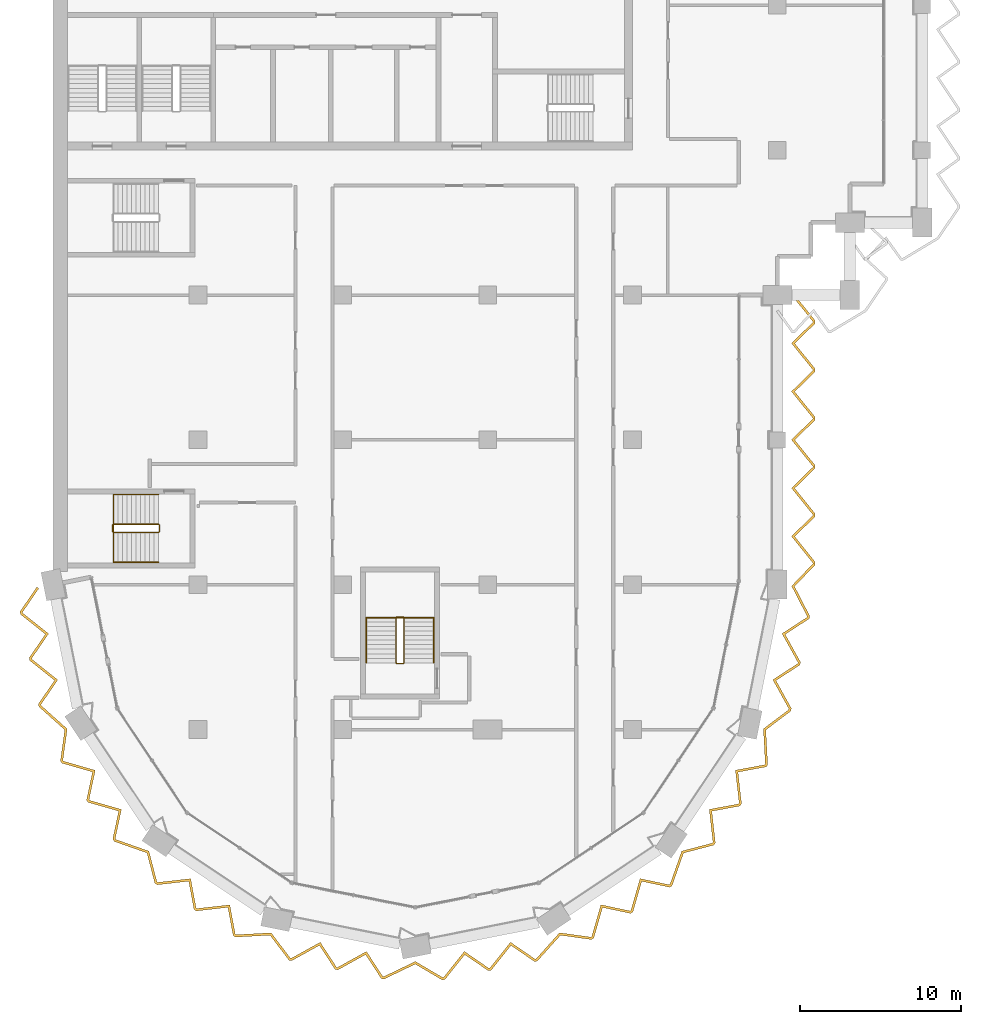
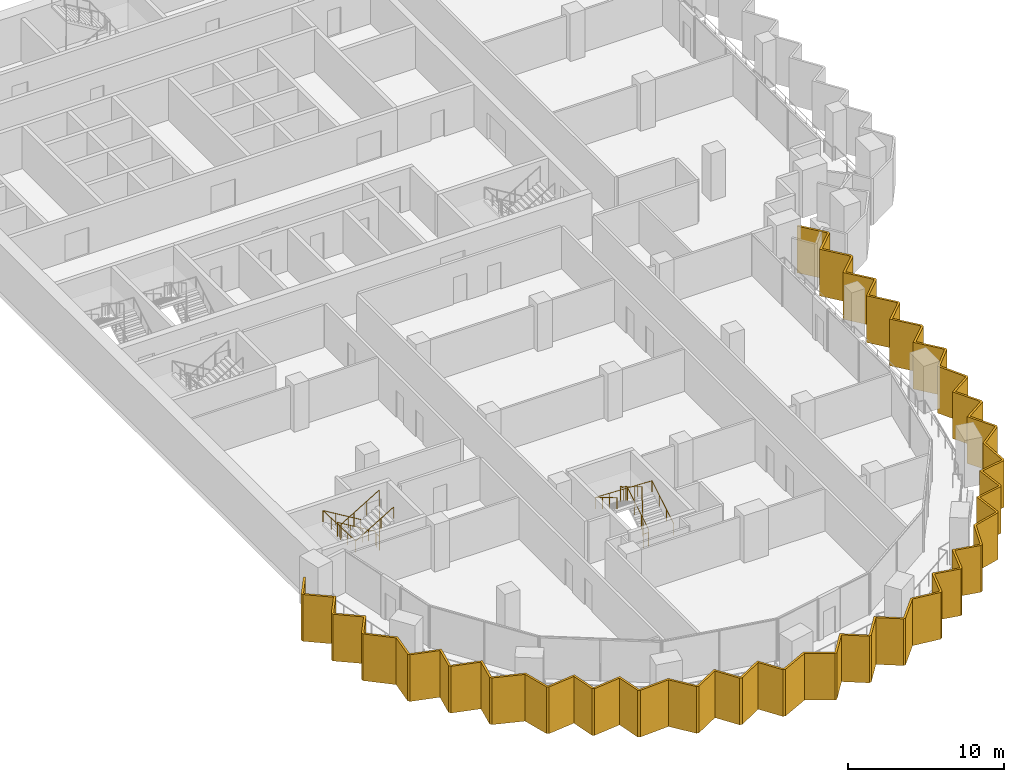
# One storey, part 14 of 17: 4 railings, 1 shading device.
"""IFC4 building model written with IfcOpenShell, lengths in metres."""

import ifcopenshell
import ifcopenshell.guid

model = None  # the IFC model being written
_history = None  # IfcOwnerHistory: only IFC2X3 demands one
_inside = {}  # id of a spatial element -> (the spatial element, [elements in it])
_under = {}  # id of a project, library or spatial element -> (it, [spatial elements below it])
_declared = {}  # id of a project -> (the project, [libraries it declares])
_typed = {}  # id of a type object -> (the type object, [elements of that type])
_made_of = {}  # id of a material, layer set ... -> (it, [elements and type objects made of it])


def new_model(schema):
    """Start an empty IFC model of exactly this schema.

    Asked for "IFC4X3", IfcOpenShell would pick the latest addendum, in which some entities
    have other attributes; the version numbers below select the first issue.
    IFC2X3 requires an IfcOwnerHistory on every rooted entity: one is made here for all.
    """
    global model, _history
    if schema == "IFC4X3":
        model = ifcopenshell.file(schema_version=(4, 3, 0, 0))
    else:
        model = ifcopenshell.file(schema=schema)
    _inside.clear()
    _under.clear()
    _declared.clear()
    _typed.clear()
    _made_of.clear()
    _history = None
    if model.schema == "IFC2X3":
        org = make("IfcOrganization", Name="unknown")
        user = make(
            "IfcPersonAndOrganization",
            ThePerson=make("IfcPerson", FamilyName="unknown"),
            TheOrganization=org,
        )
        app = make(
            "IfcApplication",
            ApplicationDeveloper=org,
            Version="unknown",
            ApplicationFullName="unknown",
            ApplicationIdentifier="unknown",
        )
        _history = make(
            "IfcOwnerHistory",
            OwningUser=user,
            OwningApplication=app,
            ChangeAction="ADDED",
            CreationDate=0,
        )
    return model


def make(cls, **values):
    """One entity of the class cls with the attributes given. An attribute that is None is left unset."""
    return model.create_entity(
        cls, **{name: value for name, value in values.items() if value is not None}
    )


def rooted(cls, **values):
    """An entity with a GlobalId (a new one), such as an element, a storey or a relation."""
    return make(cls, GlobalId=ifcopenshell.guid.new(), OwnerHistory=_history, **values)


def si_unit(unit_type, name, prefix=None):
    """IfcSIUnit, for example si_unit("LENGTHUNIT", "METRE", prefix="MILLI")."""
    return make("IfcSIUnit", UnitType=unit_type, Prefix=prefix, Name=name)


def assignment(units):
    """IfcUnitAssignment: the units of a project."""
    return None if units is None else make("IfcUnitAssignment", Units=units)


def point(xyz):
    """IfcCartesianPoint."""
    return None if xyz is None else make("IfcCartesianPoint", Coordinates=xyz)


def direction(xyz):
    """IfcDirection."""
    return None if xyz is None else make("IfcDirection", DirectionRatios=xyz)


def frame(location, z_axis=None, x_axis=None):
    """IfcAxis2Placement3D, a coordinate frame: its origin and axes. An axis left out is left unset."""
    return make(
        "IfcAxis2Placement3D",
        Location=point(location),
        Axis=direction(z_axis),
        RefDirection=direction(x_axis),
    )


def frame_2d(location, x_axis=None):
    """IfcAxis2Placement2D, a coordinate frame in the plane: its origin and x axis."""
    return make(
        "IfcAxis2Placement2D", Location=point(location), RefDirection=direction(x_axis)
    )


def origin():
    """The frame at (0, 0, 0) with its axes left unset."""
    return frame((0.0, 0.0, 0.0))


def origin_2d():
    """The frame at (0, 0) in the plane with its x axis left unset."""
    return frame_2d((0.0, 0.0))


def place(relative_to, where):
    """IfcLocalPlacement: puts the frame where relative to a parent placement (None: the world)."""
    return make(
        "IfcLocalPlacement", PlacementRelTo=relative_to, RelativePlacement=where
    )


def context(
    kind, dimensions, precision=None, world=None, true_north=None, identifier=None
):
    """IfcGeometricRepresentationContext, for example the 3D "Model" context."""
    return make(
        "IfcGeometricRepresentationContext",
        ContextIdentifier=identifier,
        ContextType=kind,
        CoordinateSpaceDimension=dimensions,
        Precision=precision,
        WorldCoordinateSystem=world,
        TrueNorth=true_north,
    )


def subcontext(parent, identifier, kind, view, scale=None):
    """IfcGeometricRepresentationSubContext, for example "Body" below "Model"."""
    return make(
        "IfcGeometricRepresentationSubContext",
        ContextIdentifier=identifier,
        ContextType=kind,
        ParentContext=parent,
        TargetScale=scale,
        TargetView=view,
    )


def project(units=None, contexts=None):
    """IfcProject with its units and contexts."""
    return rooted(
        "IfcProject",
        Name="project",
        RepresentationContexts=contexts,
        UnitsInContext=assignment(units),
    )


def spatial(cls, under=None, at=None, **own):
    """A site, building, storey or space (cls), placed at a placement, below another one or the project."""
    s = rooted(cls, ObjectPlacement=at, **own)
    if under is not None:
        _under.setdefault(under.id(), (under, []))[1].append(s)
    return s


def polyline(points):
    """IfcPolyline through the points."""
    return make("IfcPolyline", Points=[point(p) for p in points])


def profile(cls, at=None, kind="AREA", **sizes):
    """A parametric profile (cls). Its sizes go by their IFC names, for example OverallWidth=200.0."""
    return make(cls, ProfileType=kind, Position=at, **sizes)


def circle(**sizes):
    """IfcCircleProfileDef."""
    return profile("IfcCircleProfileDef", **sizes)


def outline(outer, holes=None, kind="AREA"):
    """IfcArbitraryClosedProfileDef: a profile drawn as a closed curve; with holes, ...WithVoids."""
    if holes is None:
        return make("IfcArbitraryClosedProfileDef", ProfileType=kind, OuterCurve=outer)
    return make(
        "IfcArbitraryProfileDefWithVoids",
        ProfileType=kind,
        OuterCurve=outer,
        InnerCurves=holes,
    )


def extrude(swept, where, along, depth):
    """IfcExtrudedAreaSolid: the profile swept, set in the frame where, extruded along a direction by depth."""
    return make(
        "IfcExtrudedAreaSolid",
        SweptArea=swept,
        Position=where,
        ExtrudedDirection=direction(along),
        Depth=depth,
    )


def shape(context_of_items, identifier, shape_type, items):
    """IfcShapeRepresentation: the items that make up one representation, for example the "Body"."""
    return make(
        "IfcShapeRepresentation",
        ContextOfItems=context_of_items,
        RepresentationIdentifier=identifier,
        RepresentationType=shape_type,
        Items=items,
    )


def material(Name=None, Category=None):
    """IfcMaterial."""
    return make("IfcMaterial", Name=Name, Category=Category)


def layer(
    of_material, thickness, ventilated=None, Name=None, Category=None, Priority=None
):
    """IfcMaterialLayer: one layer of a wall or slab, of a material (None: an air gap)."""
    return make(
        "IfcMaterialLayer",
        Material=of_material,
        LayerThickness=thickness,
        IsVentilated=ventilated,
        Name=Name,
        Category=Category,
        Priority=Priority,
    )


def layer_set(layers, Name=None):
    """IfcMaterialLayerSet."""
    return make("IfcMaterialLayerSet", MaterialLayers=layers, LayerSetName=Name)


def made_of(thing, what):
    """Note that an element or type object is made of a material, layer set ...; save() writes the relation."""
    if what is not None:
        _made_of.setdefault(what.id(), (what, []))[1].append(thing)
    return thing


def type_object(cls, material=None, **own):
    """A type object (cls), such as IfcWallType, which elements share."""
    return made_of(rooted(cls, **own), material)


def element(
    cls,
    number,
    at=None,
    inside=None,
    cuts=None,
    type_object=None,
    material=None,
    context=None,
    identifier="Body",
    shape_type=None,
    held_by="IfcProductDefinitionShape",
    body=None,
    shapes=None,
    **own,
):
    """One element of the class cls, such as IfcWall. Its Tag is "e" and its number.

    at: its placement. inside: the storey or other place that contains it. cuts: it is an
    opening in that element (IfcRelVoidsElement). A single representation is given by context,
    identifier, shape_type and body (its items); several are given by shapes. held_by: the class
    of the entity that holds the representations. save() writes the other relations.
    """
    e = rooted(cls, Tag="e%d" % number, ObjectPlacement=at, **own)
    if body is not None:
        shapes = [shape(context, identifier, shape_type, body)]
    if shapes is not None:
        e.Representation = make(held_by, Representations=shapes)
    if inside is not None:
        _inside.setdefault(inside.id(), (inside, []))[1].append(e)
    if cuts is not None:
        rooted(
            "IfcRelVoidsElement", RelatingBuildingElement=cuts, RelatedOpeningElement=e
        )
    if type_object is not None:
        _typed.setdefault(type_object.id(), (type_object, []))[1].append(e)
    return made_of(e, material)


def aggregate(whole, parts):
    """IfcRelAggregates: a whole, such as a stair, and the parts it consists of."""
    return rooted("IfcRelAggregates", RelatingObject=whole, RelatedObjects=parts)


def save(model, path):
    """Write the relations noted so far, then the file.

    IfcRelAggregates (storeys below a building ...), IfcRelContainedInSpatialStructure (elements
    in a storey), IfcRelDefinesByType, IfcRelAssociatesMaterial and IfcRelDeclares: one each for
    every whole, place, type object, material and project.
    """
    for whole, parts in _under.values():
        aggregate(whole, parts)
    for where, things in _inside.values():
        rooted(
            "IfcRelContainedInSpatialStructure",
            RelatedElements=things,
            RelatingStructure=where,
        )
    for kind, things in _typed.values():
        rooted("IfcRelDefinesByType", RelatedObjects=things, RelatingType=kind)
    for what, things in _made_of.values():
        rooted("IfcRelAssociatesMaterial", RelatedObjects=things, RelatingMaterial=what)
    for by, libraries in _declared.values():
        rooted("IfcRelDeclares", RelatingContext=by, RelatedDefinitions=libraries)
    model.write(path)


model = new_model("IFC4")

# Units and contexts
model_context = context("Model", 3, precision=1e-05, world=origin(), true_north=direction((0.0, 1.0)))
body_context = subcontext(model_context, "Body", "Model", "MODEL_VIEW")
ifc_project = project(units=[si_unit("LENGTHUNIT", "METRE"), si_unit("AREAUNIT", "SQUARE_METRE"), si_unit("VOLUMEUNIT", "CUBIC_METRE"), si_unit("PLANEANGLEUNIT", "RADIAN"), si_unit("MASSUNIT", "GRAM", prefix="KILO")], contexts=[model_context])

# Site, building, storey
site_placement = place(None, origin())
site = spatial("IfcSite", under=ifc_project, at=site_placement, CompositionType="ELEMENT")
building_placement = place(site_placement, origin())
building = spatial("IfcBuilding", under=site, at=building_placement, Name="Hunhe Ridgeline Campus", CompositionType="ELEMENT")
storey_placement = place(building_placement, frame((0.0, 0.0, 186.5)))
storey = spatial("IfcBuildingStorey", under=building, at=storey_placement, Name="L47", CompositionType="ELEMENT", Elevation=186.5)

# Shading device
ifc_material_1 = material(Name="Concrete C50", Category="concrete")
ifc_layer = layer(ifc_material_1, 0.14990234375)
ifc_layer_set = layer_set([ifc_layer], Name="Sawtooth concrete fin 150 Concrete C50")
shading_device_type = type_object("IfcShadingDeviceType", Name="Sawtooth concrete fin 150 Concrete C50", PredefinedType="USERDEFINED", material=ifc_layer_set)
shading_device_placement = place(storey_placement, frame((0.0, 0.0, -0.949951171875)))
element("IfcShadingDevice", 1, at=shading_device_placement, inside=storey, type_object=shading_device_type, Name="Concrete fin screen 1", ObjectType="FIN", PredefinedType="USERDEFINED", context=body_context, shape_type="SweptSolid", body=[
    extrude(outline(polyline([(-0.89453125, 35.767333984375), (-1.01806640625, 35.852294921875), (-2.063720703125, 34.329345703125), (-2.02880859375, 34.15380859375), (-0.48681640625, 32.924560546875), (-1.492919921875, 31.459228515625), (-1.4580078125, 31.28369140625), (0.084228515625, 30.054443359375), (-0.921875, 28.589111328125), (-0.887451171875, 28.416015625), (0.714599609375, 26.97998046875), (0.447021484375, 25.053955078125), (0.544921875, 24.907470703125), (2.43994140625, 24.362060546875), (2.0712890625, 22.623291015625), (2.170654296875, 22.474365234375), (4.065673828125, 21.928955078125), (3.697021484375, 20.190185546875), (3.795166015625, 20.043212890625), (5.82470703125, 19.32958984375), (6.314697265625, 17.44775390625), (6.4609375, 17.35009765625), (8.420654296875, 17.5712890625), (8.745361328125, 15.82373046875), (8.894287109375, 15.724365234375), (10.853759765625, 15.945556640625), (11.178466796875, 14.197998046875), (11.325439453125, 14.099853515625), (13.473388671875, 14.21728515625), (14.646240234375, 12.666259765625), (14.81884765625, 12.6318359375), (16.544677734375, 13.586181640625), (17.513427734375, 12.095947265625), (17.68896484375, 12.06103515625), (19.414794921875, 13.01513671875), (20.383544921875, 11.52490234375), (20.556884765625, 11.490478515625), (22.49658203125, 12.4208984375), (24.173583984375, 11.436767578125), (24.34619140625, 11.47119140625), (25.575439453125, 13.01318359375), (27.040771484375, 12.007080078125), (27.21630859375, 12.0419921875), (28.445556640625, 13.584228515625), (29.910888671875, 12.578125), (30.083984375, 12.612548828125), (31.52001953125, 14.214599609375), (33.446044921875, 13.947021484375), (33.592529296875, 14.044921875), (34.137939453125, 15.93994140625), (35.876708984375, 15.5712890625), (36.025634765625, 15.670654296875), (36.571044921875, 17.565673828125), (38.309814453125, 17.197021484375), (38.456787109375, 17.295166015625), (39.17041015625, 19.32470703125), (41.05224609375, 19.814697265625), (41.14990234375, 19.9609375), (40.9287109375, 21.920654296875), (42.67626953125, 22.245361328125), (42.775634765625, 22.394287109375), (42.554443359375, 24.353759765625), (44.302001953125, 24.678466796875), (44.400146484375, 24.825439453125), (44.28271484375, 26.973388671875), (45.833740234375, 28.146240234375), (45.8681640625, 28.31884765625), (44.913818359375, 30.044677734375), (46.404052734375, 31.013427734375), (46.43896484375, 31.18896484375), (45.48486328125, 32.914794921875), (46.97509765625, 33.883544921875), (47.009765625, 34.057861328125), (46.066162109375, 35.890869140625), (47.35009765625, 37.237548828125), (47.35009765625, 37.4140625), (46.076171875, 38.993896484375), (47.35009765625, 40.23583984375), (47.35009765625, 40.4140625), (46.076171875, 41.993896484375), (47.35009765625, 43.23583984375), (47.35009765625, 43.4140625), (46.076171875, 44.993896484375), (47.35009765625, 46.23583984375), (47.35009765625, 46.4140625), (46.076171875, 47.993896484375), (47.35009765625, 49.23583984375), (47.35009765625, 49.4140625), (46.076171875, 50.993896484375), (47.35009765625, 52.23583984375), (47.35009765625, 52.4140625), (46.033447265625, 54.047119140625), (45.91650390625, 53.952880859375), (47.199951171875, 52.361083984375), (47.199951171875, 52.299072265625), (45.873779296875, 51.006103515625), (47.199951171875, 49.361083984375), (47.199951171875, 49.299072265625), (45.873779296875, 48.006103515625), (47.199951171875, 46.361083984375), (47.199951171875, 46.299072265625), (45.873779296875, 45.006103515625), (47.199951171875, 43.361083984375), (47.199951171875, 43.299072265625), (45.873779296875, 42.006103515625), (47.199951171875, 40.361083984375), (47.199951171875, 40.299072265625), (45.873779296875, 39.006103515625), (47.199951171875, 37.361083984375), (47.199951171875, 37.297607421875), (45.8837890625, 35.9169921875), (46.852294921875, 34.035888671875), (46.84033203125, 33.974853515625), (45.285888671875, 32.964599609375), (46.28125, 31.16455078125), (46.269287109375, 31.104736328125), (44.715087890625, 30.09423828125), (45.71044921875, 28.29443359375), (45.69775390625, 28.2314453125), (44.128662109375, 27.044921875), (44.247802734375, 24.8671875), (44.21240234375, 24.814453125), (42.389892578125, 24.475830078125), (42.62060546875, 22.431884765625), (42.586669921875, 22.381103515625), (40.763916015625, 22.04248046875), (40.994873046875, 19.998779296875), (40.959228515625, 19.945556640625), (39.055419921875, 19.44970703125), (38.331787109375, 17.39208984375), (38.279052734375, 17.35693359375), (36.465576171875, 17.741455078125), (35.896728515625, 15.764892578125), (35.845947265625, 15.73095703125), (34.032470703125, 16.11572265625), (33.46337890625, 14.13916015625), (33.41015625, 14.103515625), (31.461669921875, 14.3740234375), (30.005859375, 12.75), (29.943603515625, 12.737548828125), (28.415283203125, 13.786865234375), (27.13330078125, 12.178466796875), (27.073486328125, 12.16650390625), (25.545166015625, 13.216064453125), (24.26318359375, 11.607666015625), (24.200439453125, 11.59521484375), (22.50341796875, 12.5908203125), (20.537109375, 11.6474609375), (20.474853515625, 11.65966796875), (19.464599609375, 13.214111328125), (17.66455078125, 12.21875), (17.604736328125, 12.230712890625), (16.59423828125, 13.784912109375), (14.79443359375, 12.78955078125), (14.7314453125, 12.80224609375), (13.544921875, 14.371337890625), (11.3671875, 14.252197265625), (11.314453125, 14.28759765625), (10.975830078125, 16.110107421875), (8.931884765625, 15.87939453125), (8.881103515625, 15.913330078125), (8.54248046875, 17.736083984375), (6.498779296875, 17.505126953125), (6.445556640625, 17.540771484375), (5.94970703125, 19.444580078125), (3.89208984375, 20.168212890625), (3.85693359375, 20.220947265625), (4.241455078125, 22.034423828125), (2.264892578125, 22.603271484375), (2.23095703125, 22.654052734375), (2.61572265625, 24.467529296875), (0.63916015625, 25.03662109375), (0.603515625, 25.08984375), (0.8740234375, 27.038330078125), (-0.75, 28.494140625), (-0.762451171875, 28.556396484375), (0.286865234375, 30.084716796875), (-1.321533203125, 31.36669921875), (-1.33349609375, 31.426513671875), (-0.283935546875, 32.954833984375), (-1.892333984375, 34.23681640625), (-1.904296875, 34.296630859375), (-0.89453125, 35.767333984375)])), origin(), (0.0, 0.0, 1.0), 3.64990234375),
])

# Railings
ifc_material_2 = material(Name="Stainless steel balustrade", Category="steel")
railing_type_1 = type_object("IfcRailingType", Name="Stair guard 1100 stainless", PredefinedType="GUARDRAIL", material=ifc_material_2)
railing_1_placement = place(storey_placement, frame((21.800048828125, 31.14990234375, 0.168212890625)))
element("IfcRailing", 2, at=railing_1_placement, inside=storey, type_object=railing_type_1, Name="L47 stair W3 guard", PredefinedType="GUARDRAIL", context=body_context, shape_type="SweptSolid", body=[
    extrude(circle(Radius=0.02392578125, at=origin_2d()), frame((0.0, 0.0, 1.076171875), z_axis=(0.0, 0.857242210791, 0.514913383045), x_axis=(-1.0, 0.0, 0.0)), (0.0, 0.0, 1.0), 3.266357421875),
    extrude(circle(Radius=0.02392578125, at=origin_2d()), frame((0.0, 2.800048828125, 2.7578125), z_axis=(-0.707106781187, 0.707106781187, 0.0), x_axis=(-0.707106781187, -0.707106781187, 0.0)), (0.0, 0.0, 1.0), 0.07080078125),
    extrude(circle(Radius=0.02392578125, at=origin_2d()), frame((-0.050048828125, 2.85009765625, 2.7578125), z_axis=(-1.0, 0.0, 0.0), x_axis=(0.0, -1.0, 0.0)), (0.0, 0.0, 1.0), 0.39990234375),
    extrude(circle(Radius=0.02392578125, at=origin_2d()), frame((-0.449951171875, 2.85009765625, 2.7578125), z_axis=(-0.274582412415, -0.274582412415, 0.921525364591), x_axis=(0.707106781187, -0.707106781187, 0.0)), (0.0, 0.0, 1.0), 0.182373046875),
    extrude(circle(Radius=0.02392578125, at=origin_2d()), frame((-0.5, 2.800048828125, 2.92578125), z_axis=(0.0, -0.857242210791, 0.514913383045), x_axis=(1.0, 0.0, 0.0)), (0.0, 0.0, 1.0), 3.266357421875),
    extrude(circle(Radius=0.02392578125, at=origin_2d()), frame((-0.5, 0.0, 4.60791015625), z_axis=(0.013524426427, -0.013458453615, -0.999817963389), x_axis=(0.705375805398, 0.708833529934, 0.0)), (0.0, 0.0, 1.0), 3.70068359375),
    extrude(circle(Radius=0.02392578125, at=origin_2d()), frame((-0.449951171875, -0.0498046875, 0.90771484375), z_axis=(1.0, 0.0, 0.0), x_axis=(0.0, 1.0, 0.0)), (0.0, 0.0, 1.0), 0.39990234375),
    extrude(circle(Radius=0.02099609375, at=origin_2d()), origin(), (0.0, 0.0, 1.0), 1.052001953125),
    extrude(circle(Radius=0.02099609375, at=origin_2d()), frame((0.0, 0.933349609375, 0.560546875)), (0.0, 0.0, 1.0), 1.052001953125),
    extrude(circle(Radius=0.02099609375, at=origin_2d()), frame((0.0, 1.86669921875, 1.121337890625)), (0.0, 0.0, 1.0), 1.052001953125),
    extrude(circle(Radius=0.02099609375, at=origin_2d()), frame((0.0, 2.800048828125, 1.681884765625)), (0.0, 0.0, 1.0), 1.052001953125),
    extrude(circle(Radius=0.02099609375, at=origin_2d()), frame((-0.050048828125, 2.85009765625, 1.681884765625)), (0.0, 0.0, 1.0), 1.052001953125),
    extrude(circle(Radius=0.02099609375, at=origin_2d()), frame((-0.449951171875, 2.85009765625, 1.681884765625)), (0.0, 0.0, 1.0), 1.052001953125),
    extrude(circle(Radius=0.02099609375, at=origin_2d()), frame((-0.5, 2.800048828125, 1.849853515625)), (0.0, 0.0, 1.0), 1.052001953125),
    extrude(circle(Radius=0.02099609375, at=origin_2d()), frame((-0.5, 1.86669921875, 2.410400390625)), (0.0, 0.0, 1.0), 1.052001953125),
    extrude(circle(Radius=0.02099609375, at=origin_2d()), frame((-0.5, 0.933349609375, 2.97119140625)), (0.0, 0.0, 1.0), 1.052001953125),
    extrude(circle(Radius=0.02099609375, at=origin_2d()), frame((-0.5, 0.0, 3.53173828125)), (0.0, 0.0, 1.0), 1.052001953125),
    extrude(circle(Radius=0.02099609375, at=origin_2d()), frame((-0.487548828125, -0.012451171875, 2.606689453125)), (0.0, 0.0, 1.0), 1.052001953125),
    extrude(circle(Radius=0.02099609375, at=origin_2d()), frame((-0.47509765625, -0.02490234375, 1.681640625)), (0.0, 0.0, 1.0), 1.052001953125),
    extrude(circle(Radius=0.02099609375, at=origin_2d()), frame((-0.46240234375, -0.037353515625, 0.7568359375)), (0.0, 0.0, 1.0), 1.052001953125),
    extrude(circle(Radius=0.02099609375, at=origin_2d()), frame((-0.449951171875, -0.0498046875, -0.168212890625)), (0.0, 0.0, 1.0), 1.052001953125),
    extrude(circle(Radius=0.02099609375, at=origin_2d()), frame((-0.050048828125, -0.0498046875, -0.168212890625)), (0.0, 0.0, 1.0), 1.052001953125),
])
railing_2_placement = place(storey_placement, frame((6.550048828125, 39.75, 0.168212890625)))
element("IfcRailing", 3, at=railing_2_placement, inside=storey, type_object=railing_type_1, Name="L47 stair W1 guard", PredefinedType="GUARDRAIL", context=body_context, shape_type="SweptSolid", body=[
    extrude(circle(Radius=0.02392578125, at=origin_2d()), frame((0.0, 0.0, 1.076171875), z_axis=(-0.857242210791, 0.0, 0.514913383045), x_axis=(0.0, -1.0, 0.0)), (0.0, 0.0, 1.0), 3.266357421875),
    extrude(circle(Radius=0.02392578125, at=origin_2d()), frame((-2.800048828125, 0.0, 2.7578125), z_axis=(-0.707106781187, -0.707106781187, 0.0), x_axis=(0.707106781187, -0.707106781187, 0.0)), (0.0, 0.0, 1.0), 0.07080078125),
    extrude(circle(Radius=0.02392578125, at=origin_2d()), frame((-2.85009765625, -0.050048828125, 2.7578125), z_axis=(0.0, -1.0, 0.0), x_axis=(1.0, 0.0, 0.0)), (0.0, 0.0, 1.0), 0.39990234375),
    extrude(circle(Radius=0.02392578125, at=origin_2d()), frame((-2.85009765625, -0.449951171875, 2.7578125), z_axis=(0.274582412415, -0.274582412415, 0.921525364591), x_axis=(0.707106781187, 0.707106781187, 0.0)), (0.0, 0.0, 1.0), 0.182373046875),
    extrude(circle(Radius=0.02392578125, at=origin_2d()), frame((-2.800048828125, -0.5, 2.92578125), z_axis=(0.857242210791, 0.0, 0.514913383045), x_axis=(0.0, 1.0, 0.0)), (0.0, 0.0, 1.0), 3.266357421875),
    extrude(circle(Radius=0.02392578125, at=origin_2d()), frame((0.0, -0.5, 4.60791015625), z_axis=(0.013524414389, 0.013524414389, -0.999817073484), x_axis=(-0.707106781187, 0.707106781187, 0.0)), (0.0, 0.0, 1.0), 3.70068359375),
    extrude(circle(Radius=0.02392578125, at=origin_2d()), frame((0.050048828125, -0.449951171875, 0.90771484375), z_axis=(0.0, 1.0, 0.0), x_axis=(-1.0, 0.0, 0.0)), (0.0, 0.0, 1.0), 0.39990234375),
    extrude(circle(Radius=0.02099609375, at=origin_2d()), origin(), (0.0, 0.0, 1.0), 1.052001953125),
    extrude(circle(Radius=0.02099609375, at=origin_2d()), frame((-0.933349609375, 0.0, 0.560546875)), (0.0, 0.0, 1.0), 1.052001953125),
    extrude(circle(Radius=0.02099609375, at=origin_2d()), frame((-1.86669921875, 0.0, 1.121337890625)), (0.0, 0.0, 1.0), 1.052001953125),
    extrude(circle(Radius=0.02099609375, at=origin_2d()), frame((-2.800048828125, 0.0, 1.681884765625)), (0.0, 0.0, 1.0), 1.052001953125),
    extrude(circle(Radius=0.02099609375, at=origin_2d()), frame((-2.85009765625, -0.050048828125, 1.681884765625)), (0.0, 0.0, 1.0), 1.052001953125),
    extrude(circle(Radius=0.02099609375, at=origin_2d()), frame((-2.85009765625, -0.449951171875, 1.681884765625)), (0.0, 0.0, 1.0), 1.052001953125),
    extrude(circle(Radius=0.02099609375, at=origin_2d()), frame((-2.800048828125, -0.5, 1.849853515625)), (0.0, 0.0, 1.0), 1.052001953125),
    extrude(circle(Radius=0.02099609375, at=origin_2d()), frame((-1.86669921875, -0.5, 2.410400390625)), (0.0, 0.0, 1.0), 1.052001953125),
    extrude(circle(Radius=0.02099609375, at=origin_2d()), frame((-0.933349609375, -0.5, 2.97119140625)), (0.0, 0.0, 1.0), 1.052001953125),
    extrude(circle(Radius=0.02099609375, at=origin_2d()), frame((0.0, -0.5, 3.53173828125)), (0.0, 0.0, 1.0), 1.052001953125),
    extrude(circle(Radius=0.02099609375, at=origin_2d()), frame((0.012451171875, -0.487548828125, 2.606689453125)), (0.0, 0.0, 1.0), 1.052001953125),
    extrude(circle(Radius=0.02099609375, at=origin_2d()), frame((0.02490234375, -0.47509765625, 1.681640625)), (0.0, 0.0, 1.0), 1.052001953125),
    extrude(circle(Radius=0.02099609375, at=origin_2d()), frame((0.03759765625, -0.46240234375, 0.7568359375)), (0.0, 0.0, 1.0), 1.052001953125),
    extrude(circle(Radius=0.02099609375, at=origin_2d()), frame((0.050048828125, -0.449951171875, -0.168212890625)), (0.0, 0.0, 1.0), 1.052001953125),
    extrude(circle(Radius=0.02099609375, at=origin_2d()), frame((0.050048828125, -0.050048828125, -0.168212890625)), (0.0, 0.0, 1.0), 1.052001953125),
])
ifc_material_3 = material(Name="Stainless steel handrail", Category="steel")
railing_type_2 = type_object("IfcRailingType", Name="Stair handrail 900 stainless", PredefinedType="HANDRAIL", material=ifc_material_3)
railing_3_placement = place(storey_placement, frame((23.64990234375, 31.14990234375, 0.168212890625)))
element("IfcRailing", 4, at=railing_3_placement, inside=storey, type_object=railing_type_2, Name="L47 stair W3 handrail", PredefinedType="HANDRAIL", context=body_context, shape_type="SweptSolid", body=[
    extrude(circle(Radius=0.02392578125, at=origin_2d()), frame((0.0, 0.0, 0.8759765625), z_axis=(0.0, 0.857242210791, 0.514913383045), x_axis=(-1.0, 0.0, 0.0)), (0.0, 0.0, 1.0), 3.266357421875),
    extrude(circle(Radius=0.02392578125, at=origin_2d()), frame((0.0, 2.800048828125, 2.5576171875), z_axis=(-0.99920123705, 0.0, 0.039961079526), x_axis=(0.0, -1.0, 0.0)), (0.0, 0.0, 1.0), 4.203369140625),
    extrude(circle(Radius=0.02392578125, at=origin_2d()), frame((-4.199951171875, 2.800048828125, 2.7255859375), z_axis=(0.0, -0.857242210791, 0.514913383045), x_axis=(1.0, 0.0, 0.0)), (0.0, 0.0, 1.0), 3.266357421875),
    extrude(circle(Radius=0.02099609375, at=origin_2d()), origin(), (0.0, 0.0, 1.0), 0.851806640625),
    extrude(circle(Radius=0.02099609375, at=origin_2d()), frame((0.0, 0.933349609375, 0.560546875)), (0.0, 0.0, 1.0), 0.851806640625),
    extrude(circle(Radius=0.02099609375, at=origin_2d()), frame((0.0, 1.86669921875, 1.121337890625)), (0.0, 0.0, 1.0), 0.851806640625),
    extrude(circle(Radius=0.02099609375, at=origin_2d()), frame((0.0, 2.800048828125, 1.681884765625)), (0.0, 0.0, 1.0), 0.851806640625),
    extrude(circle(Radius=0.02099609375, at=origin_2d()), frame((-1.050048828125, 2.800048828125, 1.723876953125)), (0.0, 0.0, 1.0), 0.851806640625),
    extrude(circle(Radius=0.02099609375, at=origin_2d()), frame((-2.10009765625, 2.800048828125, 1.765869140625)), (0.0, 0.0, 1.0), 0.851806640625),
    extrude(circle(Radius=0.02099609375, at=origin_2d()), frame((-3.14990234375, 2.800048828125, 1.807861328125)), (0.0, 0.0, 1.0), 0.851806640625),
    extrude(circle(Radius=0.02099609375, at=origin_2d()), frame((-4.199951171875, 2.800048828125, 1.849853515625)), (0.0, 0.0, 1.0), 0.851806640625),
    extrude(circle(Radius=0.02099609375, at=origin_2d()), frame((-4.199951171875, 1.86669921875, 2.410400390625)), (0.0, 0.0, 1.0), 0.851806640625),
    extrude(circle(Radius=0.02099609375, at=origin_2d()), frame((-4.199951171875, 0.933349609375, 2.97119140625)), (0.0, 0.0, 1.0), 0.851806640625),
    extrude(circle(Radius=0.02099609375, at=origin_2d()), frame((-4.199951171875, 0.0, 3.53173828125)), (0.0, 0.0, 1.0), 0.851806640625),
])
railing_4_placement = place(storey_placement, frame((6.550048828125, 41.60009765625, 0.168212890625)))
element("IfcRailing", 5, at=railing_4_placement, inside=storey, type_object=railing_type_2, Name="L47 stair W1 handrail", PredefinedType="HANDRAIL", context=body_context, shape_type="SweptSolid", body=[
    extrude(circle(Radius=0.02392578125, at=origin_2d()), frame((0.0, 0.0, 0.8759765625), z_axis=(-0.857242210791, 0.0, 0.514913383045), x_axis=(0.0, -1.0, 0.0)), (0.0, 0.0, 1.0), 3.266357421875),
    extrude(circle(Radius=0.02392578125, at=origin_2d()), frame((-2.800048828125, 0.0, 2.5576171875), z_axis=(0.0, -0.999201329794, 0.039958760457), x_axis=(1.0, 0.0, 0.0)), (0.0, 0.0, 1.0), 4.20361328125),
    extrude(circle(Radius=0.02392578125, at=origin_2d()), frame((-2.800048828125, -4.2001953125, 2.7255859375), z_axis=(0.857242210791, 0.0, 0.514913383045), x_axis=(0.0, 1.0, 0.0)), (0.0, 0.0, 1.0), 3.266357421875),
    extrude(circle(Radius=0.02099609375, at=origin_2d()), origin(), (0.0, 0.0, 1.0), 0.851806640625),
    extrude(circle(Radius=0.02099609375, at=origin_2d()), frame((-0.933349609375, 0.0, 0.560546875)), (0.0, 0.0, 1.0), 0.851806640625),
    extrude(circle(Radius=0.02099609375, at=origin_2d()), frame((-1.86669921875, 0.0, 1.121337890625)), (0.0, 0.0, 1.0), 0.851806640625),
    extrude(circle(Radius=0.02099609375, at=origin_2d()), frame((-2.800048828125, 0.0, 1.681884765625)), (0.0, 0.0, 1.0), 0.851806640625),
    extrude(circle(Radius=0.02099609375, at=origin_2d()), frame((-2.800048828125, -1.050048828125, 1.723876953125)), (0.0, 0.0, 1.0), 0.851806640625),
    extrude(circle(Radius=0.02099609375, at=origin_2d()), frame((-2.800048828125, -2.10009765625, 1.765869140625)), (0.0, 0.0, 1.0), 0.851806640625),
    extrude(circle(Radius=0.02099609375, at=origin_2d()), frame((-2.800048828125, -3.150146484375, 1.807861328125)), (0.0, 0.0, 1.0), 0.851806640625),
    extrude(circle(Radius=0.02099609375, at=origin_2d()), frame((-2.800048828125, -4.2001953125, 1.849853515625)), (0.0, 0.0, 1.0), 0.851806640625),
    extrude(circle(Radius=0.02099609375, at=origin_2d()), frame((-1.86669921875, -4.2001953125, 2.410400390625)), (0.0, 0.0, 1.0), 0.851806640625),
    extrude(circle(Radius=0.02099609375, at=origin_2d()), frame((-0.933349609375, -4.2001953125, 2.97119140625)), (0.0, 0.0, 1.0), 0.851806640625),
    extrude(circle(Radius=0.02099609375, at=origin_2d()), frame((0.0, -4.2001953125, 3.53173828125)), (0.0, 0.0, 1.0), 0.851806640625),
])

save(model, "model.ifc")
